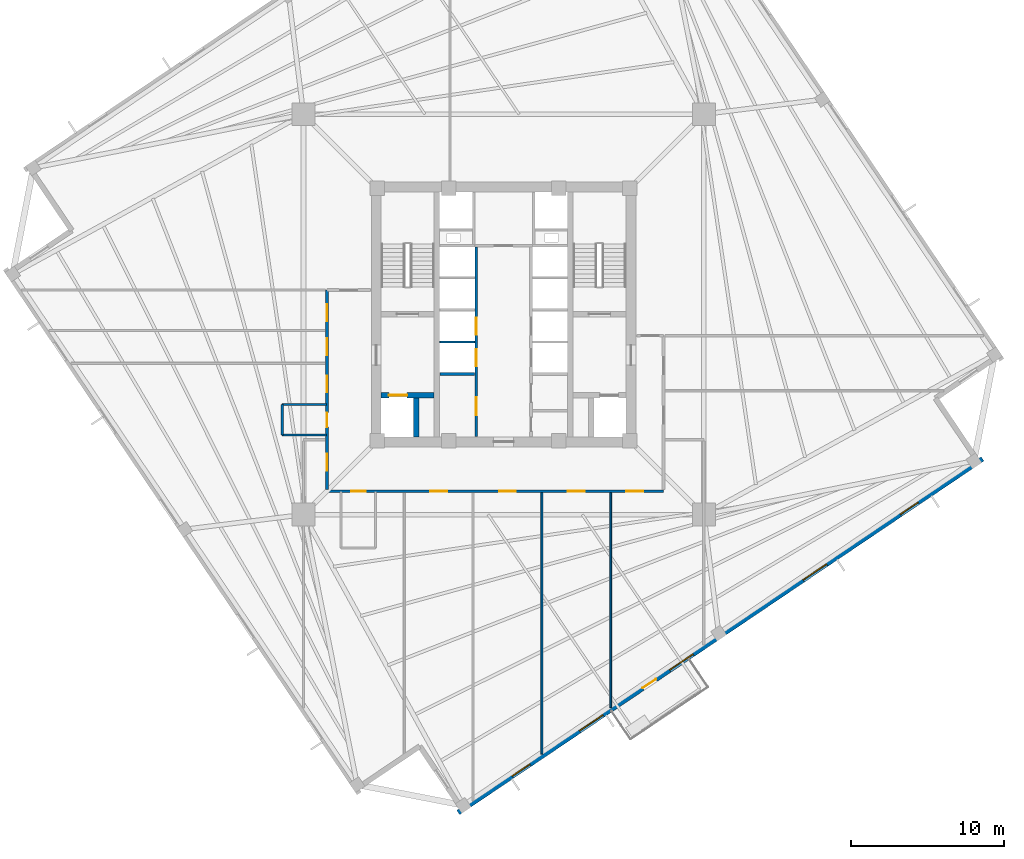
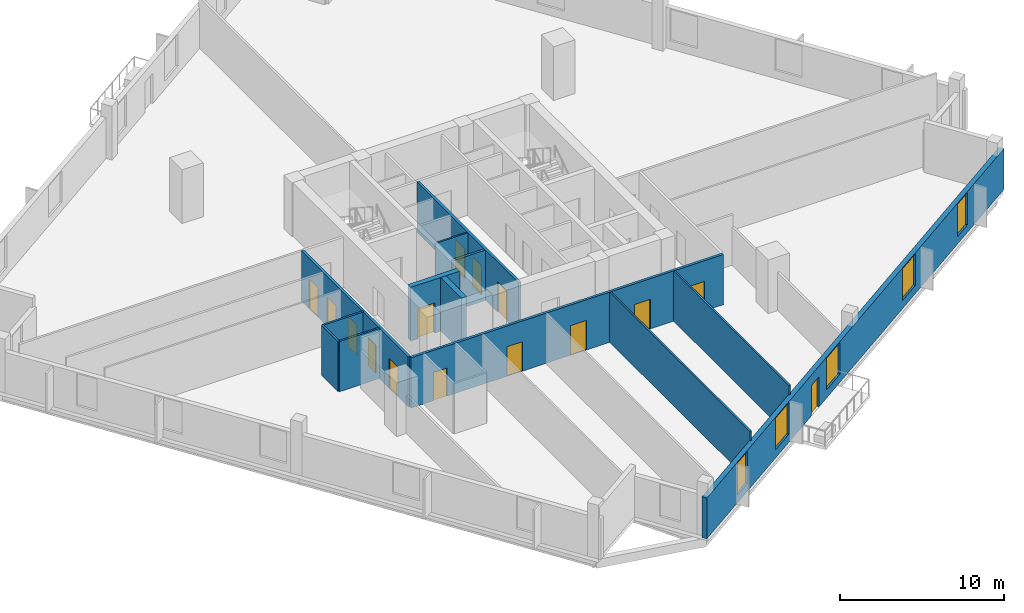
# One storey, part 3 of 9: 15 doors, 13 walls, 5 windows, 20 openings.
"""IFC4 building model written with IfcOpenShell, lengths in metres."""

from ifc_helpers import new_model, si_unit, direction, frame, frame_2d, origin, place, context, subcontext, project, spatial, rectangle, extrude, source, transform, mapped, material, layer, layer_set, type_object, element, fill, save


model = new_model("IFC4")

# Units and contexts
model_context = context("Model", 3, precision=1e-05, world=origin(), true_north=direction((0.0, 1.0)))
body_context = subcontext(model_context, "Body", "Model", "MODEL_VIEW")
ifc_project = project(units=[si_unit("LENGTHUNIT", "METRE"), si_unit("AREAUNIT", "SQUARE_METRE"), si_unit("VOLUMEUNIT", "CUBIC_METRE"), si_unit("PLANEANGLEUNIT", "RADIAN"), si_unit("MASSUNIT", "GRAM", prefix="KILO"), si_unit("THERMODYNAMICTEMPERATUREUNIT", "KELVIN")], contexts=[model_context])

# Site, building, storey
site_placement = place(None, origin())
site = spatial("IfcSite", under=ifc_project, at=site_placement, CompositionType="ELEMENT")
building_placement = place(site_placement, origin())
building = spatial("IfcBuilding", under=site, at=building_placement, Name="Kosmvard Interchange Tower", CompositionType="ELEMENT")
storey_placement = place(building_placement, frame((0.0, 0.0, 164.39990234375)))
storey = spatial("IfcBuildingStorey", under=building, at=storey_placement, Name="L39", CompositionType="ELEMENT", Elevation=164.39990234375)

# Wall, openings, doors
ifc_material_1 = material(Name="Fire-rated gypsum partition system")
ifc_layer_1 = layer(ifc_material_1, 0.179931640625, Name="Fire-rated gypsum partition system")
ifc_layer_set_1 = layer_set([ifc_layer_1], Name="Fire-rated gypsum partition system")
wall_type_1 = type_object("IfcWallType", Name="Corridor & Hotel Compartment Partition 180", PredefinedType="PARTITIONING", material=ifc_layer_set_1)
wall_1_placement = place(storey_placement, frame((-1.7900390625, -7.97998046875, 0.0), z_axis=(0.0, 0.0, 1.0), x_axis=(0.0, 1.0, 0.0)))
wall_1 = element("IfcWall", 1, at=wall_1_placement, inside=storey, type_object=wall_type_1, Name="L39 West Lift Bank Front Wall", PredefinedType="PARTITIONING", context=body_context, shape_type="SweptSolid", body=[
    extrude(rectangle(XDim=12.3798828125, YDim=0.179931640625, at=frame_2d((6.18994140625, 0.0))), origin(), (0.0, 0.0, 1.0), 3.739990234375),
])
opening_1_placement = place(wall_1_placement, frame((4.60009765625, 0.0, 0.0)))
opening_1 = element("IfcOpeningElement", 2, at=opening_1_placement, cuts=wall_1, Name="Opening LD-PL-M1-L39", PredefinedType="OPENING", context=body_context, shape_type="SweptSolid", body=[
    extrude(rectangle(XDim=1.10009765625, YDim=2.199951171875, at=frame_2d((0.550048828125, 1.10009765625))), frame((0.0, 0.10009765625, 0.0), z_axis=(0.0, -1.0, 0.0), x_axis=(1.0, 0.0, 0.0)), (0.0, 0.0, 1.0), 0.199951171875),
])
opening_2_placement = place(wall_1_placement, frame((6.659912109375, 0.0, 0.0)))
opening_2 = element("IfcOpeningElement", 3, at=opening_2_placement, cuts=wall_1, Name="Opening LD-PL-M2-L39", PredefinedType="OPENING", context=body_context, shape_type="SweptSolid", body=[
    extrude(rectangle(XDim=1.10009765625, YDim=2.199951171875, at=frame_2d((0.550048828125, 1.10009765625))), frame((0.0, 0.10009765625, 0.0), z_axis=(0.0, -1.0, 0.0), x_axis=(1.0, 0.0, 0.0)), (0.0, 0.0, 1.0), 0.199951171875),
])
opening_3_placement = place(wall_1_placement, frame((1.39990234375, 0.0, 0.0)))
opening_3 = element("IfcOpeningElement", 4, at=opening_3_placement, cuts=wall_1, Name="Opening L39-CD1", PredefinedType="OPENING", context=body_context, shape_type="SweptSolid", body=[
    extrude(rectangle(XDim=1.14990234375, YDim=2.25, at=frame_2d((0.574951171875, 1.125))), frame((0.0, 0.10009765625, 0.0), z_axis=(0.0, -1.0, 0.0), x_axis=(1.0, 0.0, 0.0)), (0.0, 0.0, 1.0), 0.199951171875),
])
ifc_material_2 = material(Name="Painted fire-rated steel leaf", Category="steel")
door_type_1 = type_object("IfcDoorType", Name="Plant & Riser Fire Door 1150x2250 EI60", OperationType="NOTDEFINED", PredefinedType="DOOR", material=ifc_material_2)
shared_shape_1 = source(origin(), body_context, "Body", "SweptSolid", [
    extrude(rectangle(XDim=1.14990234375, YDim=2.25, at=frame_2d((0.574951171875, 1.125))), frame((0.0, 0.02490234375, 0.0), z_axis=(0.0, -1.0, 0.0), x_axis=(1.0, 0.0, 0.0)), (0.0, 0.0, 1.0), 0.050048828125),
])
door_1_placement = place(opening_3_placement, origin())
door_1 = element("IfcDoor", 5, at=door_1_placement, inside=storey, type_object=door_type_1, Name="L39 Core Server Door", OperationType="SINGLE_SWING_LEFT", OverallHeight=2.25, OverallWidth=1.14990234375, PredefinedType="DOOR", context=body_context, shape_type="MappedRepresentation", body=[
    mapped(shared_shape_1, transform((0.0, 0.0, 0.0), scale=1.0)),
])
fill(opening_3, door_1)
ifc_material_3 = material(Name="Brushed stainless steel sliding leaf", Category="steel")
door_type_2 = type_object("IfcDoorType", Name="Passenger Lift Sliding Landing Door 1100x2200 EI60", OperationType="DOUBLE_DOOR_SLIDING", PredefinedType="DOOR", material=ifc_material_3)
shared_shape_2 = source(origin(), body_context, "Body", "SweptSolid", [
    extrude(rectangle(XDim=1.10009765625, YDim=2.199951171875, at=frame_2d((0.550048828125, 1.10009765625))), frame((0.0, 0.02490234375, 0.0), z_axis=(0.0, -1.0, 0.0), x_axis=(1.0, 0.0, 0.0)), (0.0, 0.0, 1.0), 0.050048828125),
])
door_2_placement = place(opening_1_placement, frame((1.10009765625, 0.0, 0.0), z_axis=(0.0, 0.0, 1.0), x_axis=(-1.0, 0.0, 0.0)))
door_2 = element("IfcDoor", 6, at=door_2_placement, inside=storey, type_object=door_type_2, Name="Lift PL-M1 Landing Door L39", OperationType="DOUBLE_DOOR_SLIDING", OverallHeight=2.199951171875, OverallWidth=1.10009765625, PredefinedType="DOOR", context=body_context, shape_type="MappedRepresentation", body=[
    mapped(shared_shape_2, transform((0.0, 0.0, 0.0), scale=1.0)),
])
fill(opening_1, door_2)
door_3_placement = place(opening_2_placement, frame((1.10009765625, 0.0, 0.0), z_axis=(0.0, 0.0, 1.0), x_axis=(-1.0, 0.0, 0.0)))
door_3 = element("IfcDoor", 7, at=door_3_placement, inside=storey, type_object=door_type_2, Name="Lift PL-M2 Landing Door L39", OperationType="DOUBLE_DOOR_SLIDING", OverallHeight=2.199951171875, OverallWidth=1.10009765625, PredefinedType="DOOR", context=body_context, shape_type="MappedRepresentation", body=[
    mapped(shared_shape_2, transform((0.0, 0.0, 0.0), scale=1.0)),
])
fill(opening_2, door_3)

wall_2_placement = place(storey_placement, frame((-11.550048828125, -11.550048828125, 0.0), z_axis=(0.0, 0.0, 1.0), x_axis=(1.0, 0.0, 0.0)))
wall_2 = element("IfcWall", 8, at=wall_2_placement, inside=storey, type_object=wall_type_1, Name="L39 Corridor Wall CS", PredefinedType="PARTITIONING", context=body_context, shape_type="SweptSolid", body=[
    extrude(rectangle(XDim=22.0, YDim=0.179931640625, at=frame_2d((11.0, 0.0))), origin(), (0.0, 0.0, 1.0), 3.739990234375),
])
opening_4_placement = place(wall_2_placement, frame((1.580078125, 0.0, 0.0)))
opening_4 = element("IfcOpeningElement", 9, at=opening_4_placement, cuts=wall_2, Name="Opening L39-D02", PredefinedType="OPENING", context=body_context, shape_type="SweptSolid", body=[
    extrude(rectangle(XDim=0.949951171875, YDim=2.10009765625, at=frame_2d((0.47509765625, 1.050048828125))), frame((0.0, 0.10009765625, 0.0), z_axis=(0.0, -1.0, 0.0), x_axis=(1.0, 0.0, 0.0)), (0.0, 0.0, 1.0), 0.199951171875),
])
opening_5_placement = place(wall_2_placement, frame((6.75, 0.0, 0.0)))
opening_5 = element("IfcOpeningElement", 10, at=opening_5_placement, cuts=wall_2, Name="Opening L39-D09", PredefinedType="OPENING", context=body_context, shape_type="SweptSolid", body=[
    extrude(rectangle(XDim=1.10009765625, YDim=2.199951171875, at=frame_2d((0.550048828125, 1.10009765625))), frame((0.0, 0.10009765625, 0.0), z_axis=(0.0, -1.0, 0.0), x_axis=(1.0, 0.0, 0.0)), (0.0, 0.0, 1.0), 0.199951171875),
])
opening_6_placement = place(wall_2_placement, frame((11.25, 0.0, 0.0)))
opening_6 = element("IfcOpeningElement", 11, at=opening_6_placement, cuts=wall_2, Name="Opening L39-D10", PredefinedType="OPENING", context=body_context, shape_type="SweptSolid", body=[
    extrude(rectangle(XDim=1.10009765625, YDim=2.199951171875, at=frame_2d((0.550048828125, 1.10009765625))), frame((0.0, 0.10009765625, 0.0), z_axis=(0.0, -1.0, 0.0), x_axis=(1.0, 0.0, 0.0)), (0.0, 0.0, 1.0), 0.199951171875),
])
opening_7_placement = place(wall_2_placement, frame((15.75, 0.0, 0.0)))
opening_7 = element("IfcOpeningElement", 12, at=opening_7_placement, cuts=wall_2, Name="Opening L39-D11", PredefinedType="OPENING", context=body_context, shape_type="SweptSolid", body=[
    extrude(rectangle(XDim=1.10009765625, YDim=2.199951171875, at=frame_2d((0.550048828125, 1.10009765625))), frame((0.0, 0.10009765625, 0.0), z_axis=(0.0, -1.0, 0.0), x_axis=(1.0, 0.0, 0.0)), (0.0, 0.0, 1.0), 0.199951171875),
])
opening_8_placement = place(wall_2_placement, frame((19.560546875, 0.0, 0.0)))
opening_8 = element("IfcOpeningElement", 13, at=opening_8_placement, cuts=wall_2, Name="Opening L39-D12", PredefinedType="OPENING", context=body_context, shape_type="SweptSolid", body=[
    extrude(rectangle(XDim=1.10009765625, YDim=2.199951171875, at=frame_2d((0.550048828125, 1.10009765625))), frame((0.0, 0.10009765625, 0.0), z_axis=(0.0, -1.0, 0.0), x_axis=(1.0, 0.0, 0.0)), (0.0, 0.0, 1.0), 0.199951171875),
])
ifc_material_4 = material(Name="Laminated moisture-resistant timber", Category="wood")
door_type_3 = type_object("IfcDoorType", Name="Accessible Washroom Door 950x2100", OperationType="NOTDEFINED", PredefinedType="DOOR", material=ifc_material_4)
shared_shape_3 = source(origin(), body_context, "Body", "SweptSolid", [
    extrude(rectangle(XDim=0.949951171875, YDim=2.10009765625, at=frame_2d((0.47509765625, 1.050048828125))), frame((0.0, 0.02490234375, 0.0), z_axis=(0.0, -1.0, 0.0), x_axis=(1.0, 0.0, 0.0)), (0.0, 0.0, 1.0), 0.050048828125),
])
door_4_placement = place(opening_4_placement, frame((0.949951171875, 0.0, 0.0), z_axis=(0.0, 0.0, 1.0), x_axis=(-1.0, 0.0, 0.0)))
door_4 = element("IfcDoor", 14, at=door_4_placement, inside=storey, type_object=door_type_3, Name="L39 Public Floor Washroom Door", OperationType="SINGLE_SWING_RIGHT", OverallHeight=2.10009765625, OverallWidth=0.949951171875, PredefinedType="DOOR", context=body_context, shape_type="MappedRepresentation", body=[
    mapped(shared_shape_3, transform((0.0, 0.0, 0.0), scale=1.0)),
])
fill(opening_4, door_4)
ifc_material_5 = material(Name="Engineered oak fire-rated timber", Category="wood")
door_type_4 = type_object("IfcDoorType", Name="Office Suite Entrance Door 1100x2200 FD30S", OperationType="NOTDEFINED", PredefinedType="DOOR", material=ifc_material_5)
door_5_placement = place(opening_5_placement, frame((1.10009765625, 0.0, 0.0), z_axis=(0.0, 0.0, 1.0), x_axis=(-1.0, 0.0, 0.0)))
door_5 = element("IfcDoor", 15, at=door_5_placement, inside=storey, type_object=door_type_4, Name="L39 Trade Cellular Office 3 Door", OperationType="SINGLE_SWING_LEFT", OverallHeight=2.199951171875, OverallWidth=1.10009765625, PredefinedType="DOOR", context=body_context, shape_type="MappedRepresentation", body=[
    mapped(shared_shape_2, transform((0.0, 0.0, 0.0), scale=1.0)),
])
fill(opening_5, door_5)
door_6_placement = place(opening_6_placement, frame((1.10009765625, 0.0, 0.0), z_axis=(0.0, 0.0, 1.0), x_axis=(-1.0, 0.0, 0.0)))
door_6 = element("IfcDoor", 16, at=door_6_placement, inside=storey, type_object=door_type_4, Name="L39 Trade Cellular Office 4 Door", OperationType="SINGLE_SWING_RIGHT", OverallHeight=2.199951171875, OverallWidth=1.10009765625, PredefinedType="DOOR", context=body_context, shape_type="MappedRepresentation", body=[
    mapped(shared_shape_2, transform((0.0, 0.0, 0.0), scale=1.0)),
])
fill(opening_6, door_6)
door_7_placement = place(opening_7_placement, frame((1.10009765625, 0.0, 0.0), z_axis=(0.0, 0.0, 1.0), x_axis=(-1.0, 0.0, 0.0)))
door_7 = element("IfcDoor", 17, at=door_7_placement, inside=storey, type_object=door_type_4, Name="L39 Trade Cellular Office 5 Door", OperationType="SINGLE_SWING_LEFT", OverallHeight=2.199951171875, OverallWidth=1.10009765625, PredefinedType="DOOR", context=body_context, shape_type="MappedRepresentation", body=[
    mapped(shared_shape_2, transform((0.0, 0.0, 0.0), scale=1.0)),
])
fill(opening_7, door_7)
door_8_placement = place(opening_8_placement, frame((1.10009765625, 0.0, 0.0), z_axis=(0.0, 0.0, 1.0), x_axis=(-1.0, 0.0, 0.0)))
door_8 = element("IfcDoor", 18, at=door_8_placement, inside=storey, type_object=door_type_4, Name="L39 Trade Partner Office 6 Door", OperationType="SINGLE_SWING_RIGHT", OverallHeight=2.199951171875, OverallWidth=1.10009765625, PredefinedType="DOOR", context=body_context, shape_type="MappedRepresentation", body=[
    mapped(shared_shape_2, transform((0.0, 0.0, 0.0), scale=1.0)),
])
fill(opening_8, door_8)

wall_3_placement = place(storey_placement, frame((-11.550048828125, -11.449951171875, 0.0), z_axis=(0.0, 0.0, 1.0), x_axis=(0.0, 1.0, 0.0)))
wall_3 = element("IfcWall", 19, at=wall_3_placement, inside=storey, type_object=wall_type_1, Name="L39 Corridor Wall CW", PredefinedType="PARTITIONING", context=body_context, shape_type="SweptSolid", body=[
    extrude(rectangle(XDim=13.050048828125, YDim=0.179931640625, at=frame_2d((6.52490234375, 0.0))), origin(), (0.0, 0.0, 1.0), 3.739990234375),
])
opening_9_placement = place(wall_3_placement, frame((4.086181640625, 0.0, 0.0)))
opening_9 = element("IfcOpeningElement", 20, at=opening_9_placement, cuts=wall_3, Name="Opening L39-D01", PredefinedType="OPENING", context=body_context, shape_type="SweptSolid", body=[
    extrude(rectangle(XDim=0.949951171875, YDim=2.10009765625, at=frame_2d((0.47509765625, 1.050048828125))), frame((0.0, 0.10009765625, 0.0), z_axis=(0.0, -1.0, 0.0), x_axis=(1.0, 0.0, 0.0)), (0.0, 0.0, 1.0), 0.199951171875),
])
opening_10_placement = place(wall_3_placement, frame((11.010498046875, 0.0, 0.0)))
opening_10 = element("IfcOpeningElement", 21, at=opening_10_placement, cuts=wall_3, Name="Opening L39-D03", PredefinedType="OPENING", context=body_context, shape_type="SweptSolid", body=[
    extrude(rectangle(XDim=1.10009765625, YDim=2.199951171875, at=frame_2d((0.550048828125, 1.10009765625))), frame((0.0, 0.10009765625, 0.0), z_axis=(0.0, -1.0, 0.0), x_axis=(1.0, 0.0, 0.0)), (0.0, 0.0, 1.0), 0.199951171875),
])
opening_11_placement = place(wall_3_placement, frame((8.77490234375, 0.0, 0.0)))
opening_11 = element("IfcOpeningElement", 22, at=opening_11_placement, cuts=wall_3, Name="Opening L39-D06", PredefinedType="OPENING", context=body_context, shape_type="SweptSolid", body=[
    extrude(rectangle(XDim=1.10009765625, YDim=2.199951171875, at=frame_2d((0.550048828125, 1.10009765625))), frame((0.0, 0.10009765625, 0.0), z_axis=(0.0, -1.0, 0.0), x_axis=(1.0, 0.0, 0.0)), (0.0, 0.0, 1.0), 0.199951171875),
])
opening_12_placement = place(wall_3_placement, frame((6.349609375, 0.0, 0.0)))
opening_12 = element("IfcOpeningElement", 23, at=opening_12_placement, cuts=wall_3, Name="Opening L39-D07", PredefinedType="OPENING", context=body_context, shape_type="SweptSolid", body=[
    extrude(rectangle(XDim=1.10009765625, YDim=2.199951171875, at=frame_2d((0.550048828125, 1.10009765625))), frame((0.0, 0.10009765625, 0.0), z_axis=(0.0, -1.0, 0.0), x_axis=(1.0, 0.0, 0.0)), (0.0, 0.0, 1.0), 0.199951171875),
])
opening_13_placement = place(wall_3_placement, frame((1.239501953125, 0.0, 0.0)))
opening_13 = element("IfcOpeningElement", 24, at=opening_13_placement, cuts=wall_3, Name="Opening L39-D08", PredefinedType="OPENING", context=body_context, shape_type="SweptSolid", body=[
    extrude(rectangle(XDim=1.10009765625, YDim=2.199951171875, at=frame_2d((0.550048828125, 1.10009765625))), frame((0.0, 0.10009765625, 0.0), z_axis=(0.0, -1.0, 0.0), x_axis=(1.0, 0.0, 0.0)), (0.0, 0.0, 1.0), 0.199951171875),
])
door_9_placement = place(opening_9_placement, origin())
door_9 = element("IfcDoor", 25, at=door_9_placement, inside=storey, type_object=door_type_3, Name="L39 Accessible Toilet Door", OperationType="SINGLE_SWING_LEFT", OverallHeight=2.10009765625, OverallWidth=0.949951171875, PredefinedType="DOOR", context=body_context, shape_type="MappedRepresentation", body=[
    mapped(shared_shape_3, transform((0.0, 0.0, 0.0), scale=1.0)),
])
fill(opening_9, door_9)
door_10_placement = place(opening_10_placement, origin())
door_10 = element("IfcDoor", 26, at=door_10_placement, inside=storey, type_object=door_type_4, Name="L39 West Innovation Studio Door", OperationType="SINGLE_SWING_LEFT", OverallHeight=2.199951171875, OverallWidth=1.10009765625, PredefinedType="DOOR", context=body_context, shape_type="MappedRepresentation", body=[
    mapped(shared_shape_2, transform((0.0, 0.0, 0.0), scale=1.0)),
])
fill(opening_10, door_10)
door_11_placement = place(opening_11_placement, origin())
door_11 = element("IfcDoor", 27, at=door_11_placement, inside=storey, type_object=door_type_4, Name="L39 Hardware Lab Store Door", OperationType="SINGLE_SWING_RIGHT", OverallHeight=2.199951171875, OverallWidth=1.10009765625, PredefinedType="DOOR", context=body_context, shape_type="MappedRepresentation", body=[
    mapped(shared_shape_2, transform((0.0, 0.0, 0.0), scale=1.0)),
])
fill(opening_11, door_11)
door_12_placement = place(opening_12_placement, origin())
door_12 = element("IfcDoor", 28, at=door_12_placement, inside=storey, type_object=door_type_4, Name="L39 West Architecture Office 1 Door", OperationType="SINGLE_SWING_LEFT", OverallHeight=2.199951171875, OverallWidth=1.10009765625, PredefinedType="DOOR", context=body_context, shape_type="MappedRepresentation", body=[
    mapped(shared_shape_2, transform((0.0, 0.0, 0.0), scale=1.0)),
])
fill(opening_12, door_12)
door_13_placement = place(opening_13_placement, origin())
door_13 = element("IfcDoor", 29, at=door_13_placement, inside=storey, type_object=door_type_4, Name="L39 Trade Cellular Office 2 Door", OperationType="SINGLE_SWING_RIGHT", OverallHeight=2.199951171875, OverallWidth=1.10009765625, PredefinedType="DOOR", context=body_context, shape_type="MappedRepresentation", body=[
    mapped(shared_shape_2, transform((0.0, 0.0, 0.0), scale=1.0)),
])
fill(opening_13, door_13)

# Wall, openings, door, windows
ifc_material_6 = material(Name="Precast concrete C45/55", Category="concrete")
ifc_layer_2 = layer(ifc_material_6, 0.340087890625, Name="Precast concrete C45/55")
ifc_layer_set_2 = layer_set([ifc_layer_2], Name="Precast concrete C45/55")
wall_type_2 = type_object("IfcWallType", Name="Mid Tower Precast Pier Wall 340 C45/55", PredefinedType="STANDARD", material=ifc_layer_set_2)
wall_4_placement = place(storey_placement, frame((-2.971923828125, -32.55810546875, 0.0), z_axis=(0.0, 0.0, 1.0), x_axis=(0.829036218961, 0.559194910251, 0.0)))
wall_4 = element("IfcWall", 30, at=wall_4_placement, inside=storey, type_object=wall_type_2, Name="L39 Precast Facade Wall F-S", PredefinedType="STANDARD", context=body_context, shape_type="SweptSolid", body=[
    extrude(rectangle(XDim=41.340087890625, YDim=0.340087890625, at=frame_2d((20.669921875, 0.0))), origin(), (0.0, 0.0, 1.0), 3.0400390625),
])
opening_14_placement = place(wall_4_placement, frame((14.544921875, 0.0, 0.0)))
opening_14 = element("IfcOpeningElement", 31, at=opening_14_placement, cuts=wall_4, Name="Opening L39-BDS", PredefinedType="OPENING", context=body_context, shape_type="SweptSolid", body=[
    extrude(rectangle(XDim=1.050048828125, YDim=2.25, at=frame_2d((0.52490234375, 1.125))), frame((0.0, 0.18017578125, 0.0), z_axis=(0.0, -1.0, 0.0), x_axis=(1.0, 0.0, 0.0)), (0.0, 0.0, 1.0), 0.360107421875),
])
opening_15_placement = place(wall_4_placement, frame((4.2607421875, 0.0, 0.56005859375)))
opening_15 = element("IfcOpeningElement", 32, at=opening_15_placement, cuts=wall_4, Name="Opening L39-W01", PredefinedType="OPENING", context=body_context, shape_type="SweptSolid", body=[
    extrude(rectangle(XDim=1.39990234375, YDim=2.39990234375, at=frame_2d((0.699951171875, 1.199951171875))), frame((0.0, 0.18017578125, 0.0), z_axis=(0.0, -1.0, 0.0), x_axis=(1.0, 0.0, 0.0)), (0.0, 0.0, 1.0), 0.360107421875),
])
opening_16_placement = place(wall_4_placement, frame((9.563720703125, 0.0, 0.610107421875)))
opening_16 = element("IfcOpeningElement", 33, at=opening_16_placement, cuts=wall_4, Name="Opening L39-W02", PredefinedType="OPENING", context=body_context, shape_type="SweptSolid", body=[
    extrude(rectangle(XDim=1.85009765625, YDim=2.35009765625, at=frame_2d((0.925048828125, 1.175048828125))), frame((0.0, 0.18017578125, 0.0), z_axis=(0.0, -1.0, 0.0), x_axis=(1.0, 0.0, 0.0)), (0.0, 0.0, 1.0), 0.360107421875),
])
opening_17_placement = place(wall_4_placement, frame((16.668212890625, 0.0, 0.610107421875)))
opening_17 = element("IfcOpeningElement", 34, at=opening_17_placement, cuts=wall_4, Name="Opening L39-W03", PredefinedType="OPENING", context=body_context, shape_type="SweptSolid", body=[
    extrude(rectangle(XDim=1.85009765625, YDim=2.35009765625, at=frame_2d((0.925048828125, 1.175048828125))), frame((0.0, 0.18017578125, 0.0), z_axis=(0.0, -1.0, 0.0), x_axis=(1.0, 0.0, 0.0)), (0.0, 0.0, 1.0), 0.360107421875),
])
opening_18_placement = place(wall_4_placement, frame((27.186279296875, 0.0, 0.610107421875)))
opening_18 = element("IfcOpeningElement", 35, at=opening_18_placement, cuts=wall_4, Name="Opening L39-W04", PredefinedType="OPENING", context=body_context, shape_type="SweptSolid", body=[
    extrude(rectangle(XDim=1.85009765625, YDim=2.35009765625, at=frame_2d((0.925048828125, 1.175048828125))), frame((0.0, 0.18017578125, 0.0), z_axis=(0.0, -1.0, 0.0), x_axis=(1.0, 0.0, 0.0)), (0.0, 0.0, 1.0), 0.360107421875),
])
opening_19_placement = place(wall_4_placement, frame((34.852294921875, 0.0, 0.56005859375)))
opening_19 = element("IfcOpeningElement", 36, at=opening_19_placement, cuts=wall_4, Name="Opening L39-W05", PredefinedType="OPENING", context=body_context, shape_type="SweptSolid", body=[
    extrude(rectangle(XDim=1.39990234375, YDim=2.39990234375, at=frame_2d((0.699951171875, 1.199951171875))), frame((0.0, 0.18017578125, 0.0), z_axis=(0.0, -1.0, 0.0), x_axis=(1.0, 0.0, 0.0)), (0.0, 0.0, 1.0), 0.360107421875),
])
ifc_material_7 = material(Name="Anodised aluminium and safety glass", Category="aluminium")
door_type_5 = type_object("IfcDoorType", Name="Tree-Balcony Glazed Door 1050x2250", OperationType="NOTDEFINED", PredefinedType="DOOR", material=ifc_material_7)
shared_shape_4 = source(origin(), body_context, "Body", "SweptSolid", [
    extrude(rectangle(XDim=1.050048828125, YDim=2.25, at=frame_2d((0.52490234375, 1.125))), frame((0.0, 0.02490234375, 0.0), z_axis=(0.0, -1.0, 0.0), x_axis=(1.0, 0.0, 0.0)), (0.0, 0.0, 1.0), 0.050048828125),
])
door_14_placement = place(opening_14_placement, origin())
door_14 = element("IfcDoor", 37, at=door_14_placement, inside=storey, type_object=door_type_5, Name="L39 Tree-Balcony Door BAL-L39-S", OperationType="SINGLE_SWING_RIGHT", OverallHeight=2.25, OverallWidth=1.050048828125, PredefinedType="DOOR", context=body_context, shape_type="MappedRepresentation", body=[
    mapped(shared_shape_4, transform((0.0, 0.0, 0.0), scale=1.0)),
])
fill(opening_14, door_14)
ifc_material_8 = material(Name="Low-E solar-control double glazing", Category="glass")
window_type_1 = type_object("IfcWindowType", Name="Notched Corner Feature Window 1400x2400", PartitioningType="SINGLE_PANEL", PredefinedType="WINDOW", material=ifc_material_8)
shared_shape_5 = source(origin(), body_context, "Body", "SweptSolid", [
    extrude(rectangle(XDim=1.39990234375, YDim=2.39990234375, at=frame_2d((0.699951171875, 1.199951171875))), frame((0.0, 0.030029296875, 0.0), z_axis=(0.0, -1.0, 0.0), x_axis=(1.0, 0.0, 0.0)), (0.0, 0.0, 1.0), 0.06005859375),
])
window_1_placement = place(opening_15_placement, origin())
window_1 = element("IfcWindow", 38, at=window_1_placement, inside=storey, type_object=window_type_1, Name="L39 Facade Punched Window 01", OverallHeight=2.39990234375, OverallWidth=1.39990234375, PartitioningType="SINGLE_PANEL", PredefinedType="WINDOW", context=body_context, shape_type="MappedRepresentation", body=[
    mapped(shared_shape_5, transform((0.0, 0.0, 0.0), scale=1.0)),
])
fill(opening_15, window_1)
window_2_placement = place(opening_19_placement, origin())
window_2 = element("IfcWindow", 39, at=window_2_placement, inside=storey, type_object=window_type_1, Name="L39 Facade Punched Window 05", OverallHeight=2.39990234375, OverallWidth=1.39990234375, PartitioningType="SINGLE_PANEL", PredefinedType="WINDOW", context=body_context, shape_type="MappedRepresentation", body=[
    mapped(shared_shape_5, transform((0.0, 0.0, 0.0), scale=1.0)),
])
fill(opening_19, window_2)
window_type_2 = type_object("IfcWindowType", Name="Zone 3 Office Punched Window 1850x2350", PartitioningType="SINGLE_PANEL", PredefinedType="WINDOW", material=ifc_material_8)
shared_shape_6 = source(origin(), body_context, "Body", "SweptSolid", [
    extrude(rectangle(XDim=1.85009765625, YDim=2.35009765625, at=frame_2d((0.925048828125, 1.175048828125))), frame((0.0, 0.030029296875, 0.0), z_axis=(0.0, -1.0, 0.0), x_axis=(1.0, 0.0, 0.0)), (0.0, 0.0, 1.0), 0.06005859375),
])
window_3_placement = place(opening_16_placement, origin())
window_3 = element("IfcWindow", 40, at=window_3_placement, inside=storey, type_object=window_type_2, Name="L39 Facade Punched Window 02", OverallHeight=2.35009765625, OverallWidth=1.85009765625, PartitioningType="SINGLE_PANEL", PredefinedType="WINDOW", context=body_context, shape_type="MappedRepresentation", body=[
    mapped(shared_shape_6, transform((0.0, 0.0, 0.0), scale=1.0)),
])
fill(opening_16, window_3)
window_4_placement = place(opening_17_placement, origin())
window_4 = element("IfcWindow", 41, at=window_4_placement, inside=storey, type_object=window_type_2, Name="L39 Facade Punched Window 03", OverallHeight=2.35009765625, OverallWidth=1.85009765625, PartitioningType="SINGLE_PANEL", PredefinedType="WINDOW", context=body_context, shape_type="MappedRepresentation", body=[
    mapped(shared_shape_6, transform((0.0, 0.0, 0.0), scale=1.0)),
])
fill(opening_17, window_4)
window_5_placement = place(opening_18_placement, origin())
window_5 = element("IfcWindow", 42, at=window_5_placement, inside=storey, type_object=window_type_2, Name="L39 Facade Punched Window 04", OverallHeight=2.35009765625, OverallWidth=1.85009765625, PartitioningType="SINGLE_PANEL", PredefinedType="WINDOW", context=body_context, shape_type="MappedRepresentation", body=[
    mapped(shared_shape_6, transform((0.0, 0.0, 0.0), scale=1.0)),
])
fill(opening_18, window_5)

# Walls
ifc_material_9 = material(Name="Gypsum board partition system")
ifc_layer_3 = layer(ifc_material_9, 0.1201171875, Name="Gypsum board partition system")
ifc_layer_set_3 = layer_set([ifc_layer_3], Name="Gypsum board partition system")
wall_type_3 = type_object("IfcWallType", Name="Office Cellular Partition 120", PredefinedType="PARTITIONING", material=ifc_layer_set_3)
wall_5_placement = place(storey_placement, frame((2.5, -28.740478515625, 0.0), z_axis=(0.0, 0.0, 1.0), x_axis=(0.0, 1.0, 0.0)))
element("IfcWall", 43, at=wall_5_placement, inside=storey, type_object=wall_type_3, Name="L39 Room Partition 10.1", PredefinedType="PARTITIONING", context=body_context, shape_type="SweptSolid", body=[
    extrude(rectangle(XDim=17.095458984375, YDim=0.1201171875, at=frame_2d((8.5478515625, 0.0))), origin(), (0.0, 0.0, 1.0), 3.739990234375),
])
wall_6_placement = place(storey_placement, frame((7.0, -25.705322265625, 0.0), z_axis=(0.0, 0.0, 1.0), x_axis=(0.0, 1.0, 0.0)))
element("IfcWall", 44, at=wall_6_placement, inside=storey, type_object=wall_type_3, Name="L39 Room Partition 11.1", PredefinedType="PARTITIONING", context=body_context, shape_type="SweptSolid", body=[
    extrude(rectangle(XDim=14.060302734375, YDim=0.1201171875, at=frame_2d((7.0302734375, 0.0))), origin(), (0.0, 0.0, 1.0), 3.739990234375),
])
ifc_material_10 = material(Name="Concrete blockwork masonry", Category="masonry")
ifc_layer_4 = layer(ifc_material_10, 0.179931640625, Name="Concrete blockwork masonry")
ifc_layer_set_4 = layer_set([ifc_layer_4], Name="Concrete blockwork masonry")
wall_type_4 = type_object("IfcWallType", Name="Riser & Lift Bank Divider Wall 180", PredefinedType="PARTITIONING", material=ifc_layer_set_4)
wall_7_placement = place(storey_placement, frame((-4.169921875, -3.89990234375, 0.0), z_axis=(0.0, 0.0, 1.0), x_axis=(1.0, 0.0, 0.0)))
element("IfcWall", 45, at=wall_7_placement, inside=storey, type_object=wall_type_4, Name="L39 West Bank Divider BD1", PredefinedType="PARTITIONING", context=body_context, shape_type="SweptSolid", body=[
    extrude(rectangle(XDim=2.280029296875, YDim=0.179931640625, at=frame_2d((1.14013671875, 0.0))), origin(), (0.0, 0.0, 1.0), 3.739990234375),
])
ifc_material_11 = material(Name="Fire-rated gypsum shaftwall system")
ifc_layer_5 = layer(ifc_material_11, 0.1201171875, Name="Fire-rated gypsum shaftwall system")
ifc_layer_set_5 = layer_set([ifc_layer_5], Name="Fire-rated gypsum shaftwall system")
wall_type_5 = type_object("IfcWallType", Name="Shaft & Riser Fire Partition 120 EI60", PredefinedType="PARTITIONING", material=ifc_layer_set_5)
wall_8_placement = place(storey_placement, frame((-4.159912109375, -1.800048828125, 0.0), z_axis=(0.0, 0.0, 1.0), x_axis=(1.0, 0.0, 0.0)))
element("IfcWall", 46, at=wall_8_placement, inside=storey, type_object=wall_type_5, Name="L39 Shaft Divider PL-M1", PredefinedType="PARTITIONING", context=body_context, shape_type="SweptSolid", body=[
    extrude(rectangle(XDim=2.260009765625, YDim=0.1201171875, at=frame_2d((1.1298828125, 0.0))), origin(), (0.0, 0.0, 1.0), 3.739990234375),
])

# Wall, opening, door
ifc_material_12 = material(Name="Concrete C60/75", Category="concrete")
ifc_layer_6 = layer(ifc_material_12, 0.360107421875, Name="Concrete C60/75")
ifc_layer_set_6 = layer_set([ifc_layer_6], Name="Concrete C60/75")
wall_type_6 = type_object("IfcWallType", Name="Stair & Lift Shaft Shear Wall 360 C60/75", PredefinedType="SHEAR", material=ifc_layer_set_6)
wall_9_placement = place(storey_placement, frame((-8.0, -5.280029296875, 0.0), z_axis=(0.0, 0.0, 1.0), x_axis=(1.0, 0.0, 0.0)))
wall_9 = element("IfcWall", 47, at=wall_9_placement, inside=storey, type_object=wall_type_6, Name="L39 Shaft Shear Wall SW-FF1", PredefinedType="SHEAR", context=body_context, shape_type="SweptSolid", body=[
    extrude(rectangle(XDim=3.4599609375, YDim=0.360107421875, at=frame_2d((1.72998046875, 0.0))), origin(), (0.0, 0.0, 1.0), 4.0),
])
opening_20_placement = place(wall_9_placement, frame((0.5, 0.0, 0.0)))
opening_20 = element("IfcOpeningElement", 48, at=opening_20_placement, cuts=wall_9, Name="Opening LD-FF-1-L39", PredefinedType="OPENING", context=body_context, shape_type="SweptSolid", body=[
    extrude(rectangle(XDim=1.199951171875, YDim=2.25, at=frame_2d((0.60009765625, 1.125))), frame((0.0, 0.18994140625, 0.0), z_axis=(0.0, -1.0, 0.0), x_axis=(1.0, 0.0, 0.0)), (0.0, 0.0, 1.0), 0.380126953125),
])
door_type_6 = type_object("IfcDoorType", Name="Firefighting Lift Sliding Landing Door 1200x2250 EI120", OperationType="DOUBLE_DOOR_SLIDING", PredefinedType="DOOR", material=ifc_material_3)
shared_shape_7 = source(origin(), body_context, "Body", "SweptSolid", [
    extrude(rectangle(XDim=1.199951171875, YDim=2.25, at=frame_2d((0.60009765625, 1.125))), frame((0.0, 0.02490234375, 0.0), z_axis=(0.0, -1.0, 0.0), x_axis=(1.0, 0.0, 0.0)), (0.0, 0.0, 1.0), 0.050048828125),
])
door_15_placement = place(opening_20_placement, origin())
door_15 = element("IfcDoor", 49, at=door_15_placement, inside=storey, type_object=door_type_6, Name="Lift FF-1 Landing Door L39", OperationType="DOUBLE_DOOR_SLIDING", OverallHeight=2.25, OverallWidth=1.199951171875, PredefinedType="DOOR", context=body_context, shape_type="MappedRepresentation", body=[
    mapped(shared_shape_7, transform((0.0, 0.0, 0.0), scale=1.0)),
])
fill(opening_20, door_15)

# Walls
wall_10_placement = place(storey_placement, frame((-5.7099609375, -8.0, 0.0), z_axis=(0.0, 0.0, 1.0), x_axis=(0.0, 1.0, 0.0)))
element("IfcWall", 50, at=wall_10_placement, inside=storey, type_object=wall_type_6, Name="L39 Shaft Shear Wall SW-SM1", PredefinedType="SHEAR", context=body_context, shape_type="SweptSolid", body=[
    extrude(rectangle(XDim=2.5400390625, YDim=0.360107421875, at=frame_2d((1.27001953125, 0.0))), origin(), (0.0, 0.0, 1.0), 4.0),
])
ifc_material_13 = material(Name="Moisture-resistant gypsum partition")
ifc_layer_7 = layer(ifc_material_13, 0.135009765625, Name="Moisture-resistant gypsum partition")
ifc_layer_set_7 = layer_set([ifc_layer_7], Name="Moisture-resistant gypsum partition")
wall_type_7 = type_object("IfcWallType", Name="Wet Room Moisture-Resistant Partition 135", PredefinedType="PARTITIONING", material=ifc_layer_set_7)
for number, where, z_axis, x_axis, name in (
    (51, (-14.469970703125, -7.888916015625, 0.0), (0.0, 0.0, 1.0), (1.0, 0.0, 0.0), "L39 Washroom Partition AWC1-S"),
    (52, (-14.469970703125, -5.888916015625, 0.0), (0.0, 0.0, 1.0), (1.0, 0.0, 0.0), "L39 Washroom Partition AWC1-N"),
):
    element("IfcWall", number, at=place(storey_placement, frame(where, z_axis=z_axis, x_axis=x_axis)), inside=storey, type_object=wall_type_7, Name=name, PredefinedType="PARTITIONING", context=body_context, shape_type="SweptSolid", body=[
        extrude(rectangle(XDim=2.89990234375, YDim=0.135009765625, at=frame_2d((1.449951171875, 0.0))), origin(), (0.0, 0.0, 1.0), 3.739990234375),
    ])
wall_11_placement = place(storey_placement, frame((-14.469970703125, -7.888916015625, 0.0), z_axis=(0.0, 0.0, 1.0), x_axis=(0.0, 1.0, 0.0)))
element("IfcWall", 53, at=wall_11_placement, inside=storey, type_object=wall_type_7, Name="L39 Washroom Partition AWC1-W", PredefinedType="PARTITIONING", context=body_context, shape_type="SweptSolid", body=[
    extrude(rectangle(XDim=2.0, YDim=0.135009765625, at=frame_2d((1.0, 0.0))), origin(), (0.0, 0.0, 1.0), 3.739990234375),
])

save(model, "model.ifc")
